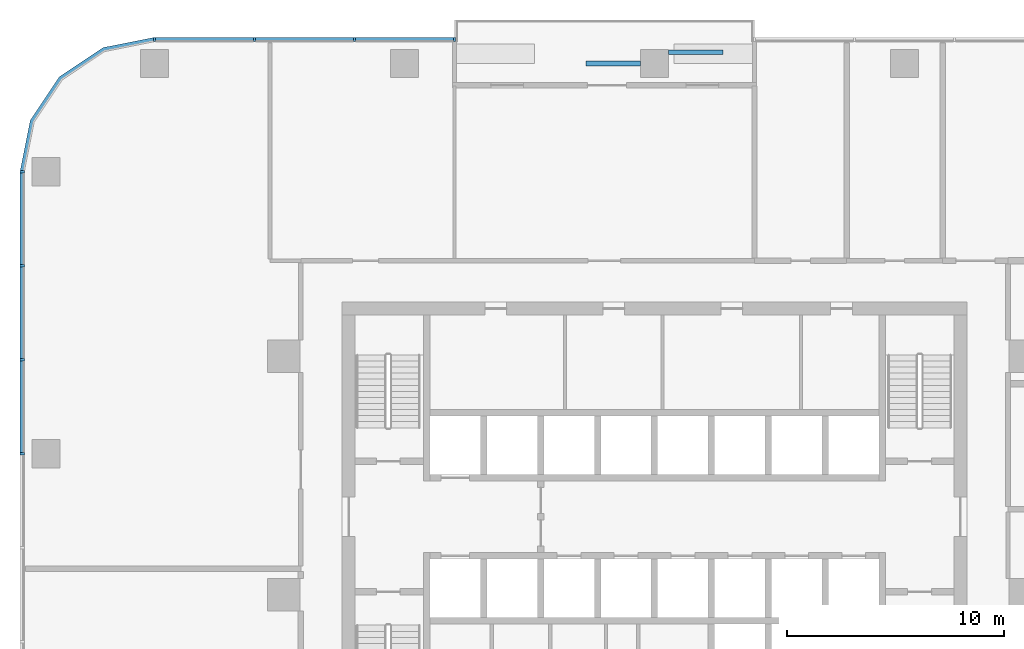
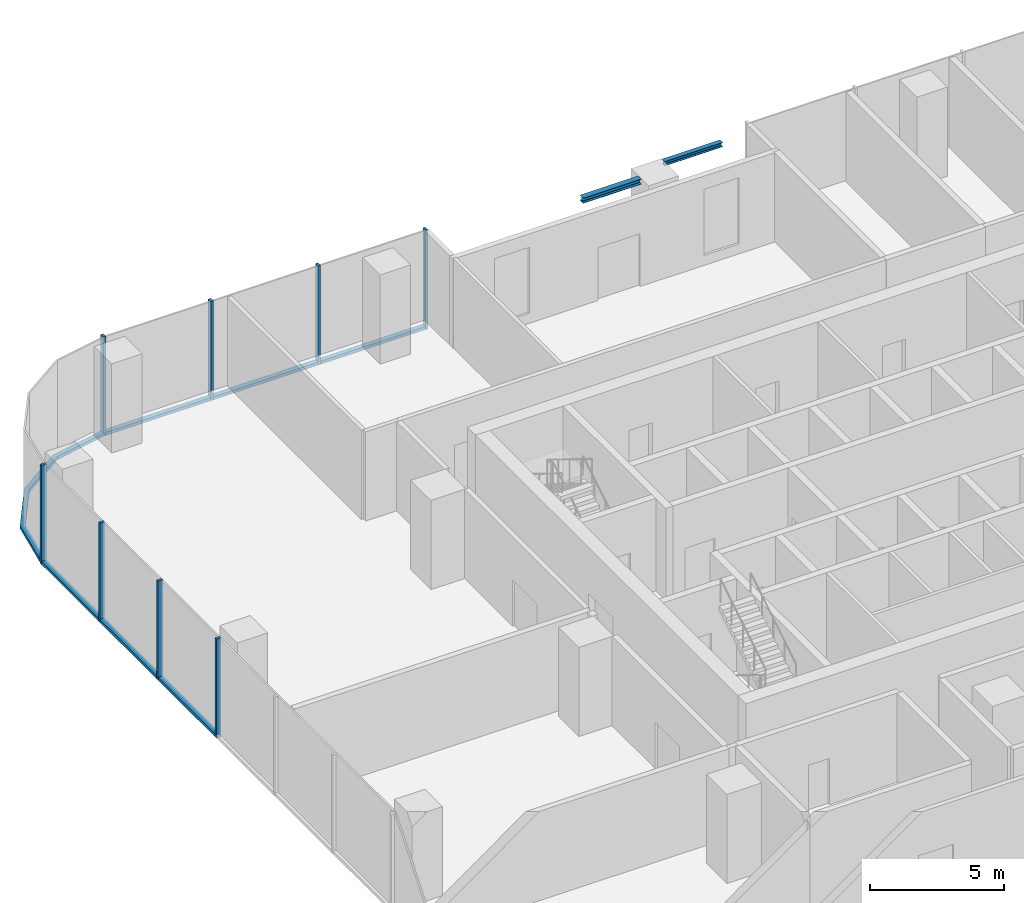
# One storey, part 4 of 14: 15 members, 2 beams, 3 elements without a shape of their own.
"""IFC4 building model written with IfcOpenShell, lengths in metres."""

from ifc_helpers import new_model, si_unit, direction, frame, origin, origin_2d, place, context, subcontext, project, spatial, polyline, rectangle, i_section, outline, extrude, material, material_profile, profile_set, type_object, element, aggregate, save


model = new_model("IFC4")

# Units and contexts
model_context = context("Model", 3, precision=1e-05, world=origin(), true_north=direction((0.0, 1.0)))
body_context = subcontext(model_context, "Body", "Model", "MODEL_VIEW")
ifc_project = project(units=[si_unit("LENGTHUNIT", "METRE"), si_unit("AREAUNIT", "SQUARE_METRE"), si_unit("VOLUMEUNIT", "CUBIC_METRE"), si_unit("PLANEANGLEUNIT", "RADIAN"), si_unit("MASSUNIT", "GRAM", prefix="KILO")], contexts=[model_context])

# Site, building, storey
site_placement = place(None, origin())
site = spatial("IfcSite", under=ifc_project, at=site_placement, CompositionType="ELEMENT")
building_placement = place(site_placement, origin())
building = spatial("IfcBuilding", under=site, at=building_placement, Name="Mopane Tessera Tower", CompositionType="ELEMENT")
storey_placement = place(building_placement, frame((0.0, 0.0, 130.60009765625)))
storey = spatial("IfcBuildingStorey", under=building, at=storey_placement, Name="L26", CompositionType="ELEMENT", Elevation=130.60009765625)

# Curtain wall, members
ifc_material_1 = material(Name="Aluminium frame", Category="aluminium")
curtain_wall_type = type_object("IfcCurtainWallType", Name="Lower tower unitised wall", PredefinedType="NOTDEFINED", material=ifc_material_1)
curtain_wall_1_placement = place(storey_placement, origin())
curtain_wall_1 = element("IfcCurtainWall", 1, at=curtain_wall_1_placement, inside=storey, type_object=curtain_wall_type, Name="e:cw:L26:N:7", PredefinedType="NOTDEFINED")
ifc_material_2 = material(Name="Aluminium frame", Category="aluminium")
ifc_material_profile_1 = material_profile(ifc_material_2, rectangle(XDim=0.110107421875, YDim=0.199951171875, at=origin_2d()))
ifc_profile_set_1 = profile_set([ifc_material_profile_1], Name="Aluminium frame")
member_type_1 = type_object("IfcMemberType", Name="Aluminium mullion 110 x 200", PredefinedType="MULLION", material=ifc_profile_set_1)
member_1_placement = place(storey_placement, frame((-9.219970703125, 25.60009765625, -0.4501953125), z_axis=(0.0, 0.0, 1.0), x_axis=(-1.0, 0.0, 0.0)))
member_1 = element("IfcMember", 2, at=member_1_placement, type_object=member_type_1, Name="e:cw:L26:N:7:mu7", PredefinedType="MULLION", context=body_context, shape_type="SweptSolid", body=[
    extrude(rectangle(XDim=0.110107421875, YDim=0.199951171875, at=origin_2d()), origin(), (0.0, 0.0, 1.0), 4.5),
])
member_2_placement = place(storey_placement, frame((-13.830078125, 25.60009765625, -0.4501953125), z_axis=(0.0, 0.0, 1.0), x_axis=(-1.0, 0.0, 0.0)))
member_2 = element("IfcMember", 3, at=member_2_placement, type_object=member_type_1, Name="e:cw:L26:N:7:mu8", PredefinedType="MULLION", context=body_context, shape_type="SweptSolid", body=[
    extrude(rectangle(XDim=0.110107421875, YDim=0.199951171875, at=origin_2d()), origin(), (0.0, 0.0, 1.0), 4.5),
])
member_3_placement = place(storey_placement, frame((-18.43994140625, 25.60009765625, -0.4501953125), z_axis=(0.0, 0.0, 1.0), x_axis=(-1.0, 0.0, 0.0)))
member_3 = element("IfcMember", 4, at=member_3_placement, type_object=member_type_1, Name="e:cw:L26:N:7:mu9", PredefinedType="MULLION", context=body_context, shape_type="SweptSolid", body=[
    extrude(rectangle(XDim=0.110107421875, YDim=0.199951171875, at=origin_2d()), origin(), (0.0, 0.0, 1.0), 4.5),
])
member_4_placement = place(storey_placement, frame((-23.050048828125, 25.60009765625, -0.4501953125), z_axis=(0.0, 0.0, 1.0), x_axis=(-1.0, 0.0, 0.0)))
member_4 = element("IfcMember", 5, at=member_4_placement, type_object=member_type_1, Name="e:cw:L26:N:7:mu10", PredefinedType="MULLION", context=body_context, shape_type="SweptSolid", body=[
    extrude(rectangle(XDim=0.110107421875, YDim=0.199951171875, at=origin_2d()), origin(), (0.0, 0.0, 1.0), 4.5),
])

curtain_wall_2_placement = place(storey_placement, origin())
curtain_wall_2 = element("IfcCurtainWall", 6, at=curtain_wall_2_placement, inside=storey, type_object=curtain_wall_type, Name="e:cw:L26:W:0", PredefinedType="NOTDEFINED")
member_5_placement = place(storey_placement, frame((-29.14990234375, 19.5, -0.4501953125), z_axis=(0.0, 0.0, 1.0), x_axis=(0.0, -1.0, 0.0)))
member_5 = element("IfcMember", 7, at=member_5_placement, type_object=member_type_1, Name="e:cw:L26:W:0:mu0", PredefinedType="MULLION", context=body_context, shape_type="SweptSolid", body=[
    extrude(rectangle(XDim=0.110107421875, YDim=0.199951171875, at=origin_2d()), origin(), (0.0, 0.0, 1.0), 4.5),
])
member_6_placement = place(storey_placement, frame((-29.14990234375, 15.166748046875, -0.4501953125), z_axis=(0.0, 0.0, 1.0), x_axis=(0.0, -1.0, 0.0)))
member_6 = element("IfcMember", 8, at=member_6_placement, type_object=member_type_1, Name="e:cw:L26:W:0:mu1", PredefinedType="MULLION", context=body_context, shape_type="SweptSolid", body=[
    extrude(rectangle(XDim=0.110107421875, YDim=0.199951171875, at=origin_2d()), origin(), (0.0, 0.0, 1.0), 4.5),
])
member_7_placement = place(storey_placement, frame((-29.14990234375, 10.833251953125, -0.4501953125), z_axis=(0.0, 0.0, 1.0), x_axis=(0.0, -1.0, 0.0)))
member_7 = element("IfcMember", 9, at=member_7_placement, type_object=member_type_1, Name="e:cw:L26:W:0:mu2", PredefinedType="MULLION", context=body_context, shape_type="SweptSolid", body=[
    extrude(rectangle(XDim=0.110107421875, YDim=0.199951171875, at=origin_2d()), origin(), (0.0, 0.0, 1.0), 4.5),
])
member_8_placement = place(storey_placement, frame((-29.14990234375, 6.5, -0.4501953125), z_axis=(0.0, 0.0, 1.0), x_axis=(0.0, -1.0, 0.0)))
member_8 = element("IfcMember", 10, at=member_8_placement, type_object=member_type_1, Name="e:cw:L26:W:0:mu3", PredefinedType="MULLION", context=body_context, shape_type="SweptSolid", body=[
    extrude(rectangle(XDim=0.110107421875, YDim=0.199951171875, at=origin_2d()), origin(), (0.0, 0.0, 1.0), 4.5),
])

# Member
ifc_material_3 = material(Name="Aluminium frame", Category="aluminium")
ifc_material_profile_2 = material_profile(ifc_material_3, rectangle(XDim=0.199951171875, YDim=0.139892578125, at=origin_2d()))
ifc_profile_set_2 = profile_set([ifc_material_profile_2], Name="Aluminium frame")
member_type_2 = type_object("IfcMemberType", Name="Aluminium transom 200 x 140", PredefinedType="USERDEFINED", material=ifc_profile_set_2)
member_9_placement = place(storey_placement, frame((-9.27490234375, 25.60009765625, -0.380126953125), z_axis=(-1.0, 0.0, 0.0), x_axis=(0.0, -1.0, 0.0)))
member_9 = element("IfcMember", 11, at=member_9_placement, type_object=member_type_2, Name="e:cw:L26:N:7:tr7", ObjectType="TRANSOM", PredefinedType="USERDEFINED", context=body_context, shape_type="SweptSolid", body=[
    extrude(rectangle(XDim=0.199951171875, YDim=0.139892578125, at=origin_2d()), origin(), (0.0, 0.0, 1.0), 4.5),
])

member_10_placement = place(storey_placement, frame((-13.885009765625, 25.60009765625, -0.380126953125), z_axis=(-1.0, 0.0, 0.0), x_axis=(0.0, -1.0, 0.0)))
member_10 = element("IfcMember", 12, at=member_10_placement, type_object=member_type_2, Name="e:cw:L26:N:7:tr8", ObjectType="TRANSOM", PredefinedType="USERDEFINED", context=body_context, shape_type="SweptSolid", body=[
    extrude(rectangle(XDim=0.199951171875, YDim=0.139892578125, at=origin_2d()), origin(), (0.0, 0.0, 1.0), 4.5),
])

member_11_placement = place(storey_placement, frame((-18.4951171875, 25.60009765625, -0.380126953125), z_axis=(-1.0, 0.0, 0.0), x_axis=(0.0, -1.0, 0.0)))
member_11 = element("IfcMember", 13, at=member_11_placement, type_object=member_type_2, Name="e:cw:L26:N:7:tr9", ObjectType="TRANSOM", PredefinedType="USERDEFINED", context=body_context, shape_type="SweptSolid", body=[
    extrude(rectangle(XDim=0.199951171875, YDim=0.139892578125, at=origin_2d()), origin(), (0.0, 0.0, 1.0), 4.5),
])

aggregate(curtain_wall_1, [member_1, member_2, member_3, member_4, member_9, member_10, member_11])

# Curtain wall, member
curtain_wall_3_placement = place(storey_placement, origin())
curtain_wall_3 = element("IfcCurtainWall", 14, at=curtain_wall_3_placement, inside=storey, type_object=curtain_wall_type, Name="e:cw:L26:CN", PredefinedType="NOTDEFINED")
member_12_placement = place(storey_placement, frame((0.0, 0.0, -0.4501953125)))
member_12 = element("IfcMember", 15, at=member_12_placement, type_object=member_type_2, Name="e:cw:L26:CN:tr", ObjectType="TRANSOM", PredefinedType="USERDEFINED", context=body_context, shape_type="SweptSolid", body=[
    extrude(outline(polyline([(-23.050048828125, 25.5), (-25.34619140625, 25.043212890625), (-27.292724609375, 23.74267578125), (-28.59326171875, 21.796142578125), (-29.050048828125, 19.5), (-29.25, 19.5), (-28.778076171875, 21.87255859375), (-27.43408203125, 23.884033203125), (-25.422607421875, 25.22802734375), (-23.050048828125, 25.699951171875), (-23.050048828125, 25.5)])), origin(), (0.0, 0.0, 1.0), 0.14013671875),
])
aggregate(curtain_wall_3, [member_12])

# Member
member_13_placement = place(storey_placement, frame((-29.14990234375, 19.445068359375, -0.380126953125), z_axis=(0.0, -1.0, 0.0), x_axis=(1.0, 0.0, 0.0)))
member_13 = element("IfcMember", 16, at=member_13_placement, type_object=member_type_2, Name="e:cw:L26:W:0:tr0", ObjectType="TRANSOM", PredefinedType="USERDEFINED", context=body_context, shape_type="SweptSolid", body=[
    extrude(rectangle(XDim=0.199951171875, YDim=0.139892578125, at=origin_2d()), origin(), (0.0, 0.0, 1.0), 4.223388671875),
])

member_14_placement = place(storey_placement, frame((-29.14990234375, 15.111572265625, -0.380126953125), z_axis=(0.0, -1.0, 0.0), x_axis=(1.0, 0.0, 0.0)))
member_14 = element("IfcMember", 17, at=member_14_placement, type_object=member_type_2, Name="e:cw:L26:W:0:tr1", ObjectType="TRANSOM", PredefinedType="USERDEFINED", context=body_context, shape_type="SweptSolid", body=[
    extrude(rectangle(XDim=0.199951171875, YDim=0.139892578125, at=origin_2d()), origin(), (0.0, 0.0, 1.0), 4.22314453125),
])

member_15_placement = place(storey_placement, frame((-29.14990234375, 10.7783203125, -0.380126953125), z_axis=(0.0, -1.0, 0.0), x_axis=(1.0, 0.0, 0.0)))
member_15 = element("IfcMember", 18, at=member_15_placement, type_object=member_type_2, Name="e:cw:L26:W:0:tr2", ObjectType="TRANSOM", PredefinedType="USERDEFINED", context=body_context, shape_type="SweptSolid", body=[
    extrude(rectangle(XDim=0.199951171875, YDim=0.139892578125, at=origin_2d()), origin(), (0.0, 0.0, 1.0), 4.223388671875),
])

aggregate(curtain_wall_2, [member_5, member_6, member_7, member_8, member_13, member_14, member_15])

# Beams
ifc_material_4 = material(Name="Structural steel S460", Category="steel")
ifc_material_profile_3 = material_profile(ifc_material_4, i_section(OverallWidth=0.239990234375, OverallDepth=0.239990234375, WebThickness=0.010009765625, FlangeThickness=0.01708984375, FilletRadius=0.02099609375, at=origin_2d()))
ifc_profile_set_3 = profile_set([ifc_material_profile_3], Name="Structural steel S460")
beam_type_1 = type_object("IfcBeamType", Name="Terrace spandrel beam HE 240 B", PredefinedType="SPANDREL", material=ifc_profile_set_3)
beam_1_placement = place(storey_placement, frame((-0.653076171875, 24.5, 3.929931640625), z_axis=(-1.0, 0.0, 0.0), x_axis=(0.0, -1.0, 0.0)))
element("IfcBeam", 19, at=beam_1_placement, inside=storey, type_object=beam_type_1, Name="Terrace spandrel beam N1 L27", PredefinedType="SPANDREL", context=body_context, shape_type="SweptSolid", body=[
    extrude(i_section(OverallWidth=0.239990234375, OverallDepth=0.239990234375, WebThickness=0.010009765625, FlangeThickness=0.01708984375, FilletRadius=0.02099609375, at=origin_2d()), origin(), (0.0, 0.0, 1.0), 2.5),
])
ifc_material_5 = material(Name="Structural steel S460", Category="steel")
ifc_material_profile_4 = material_profile(ifc_material_5, i_section(OverallWidth=0.199951171875, OverallDepth=0.199951171875, WebThickness=0.009033203125, FlangeThickness=0.014892578125, FilletRadius=0.01806640625, at=origin_2d()))
ifc_profile_set_4 = profile_set([ifc_material_profile_4], Name="Structural steel S460")
beam_type_2 = type_object("IfcBeamType", Name="Terrace trimmer beam HE 200 B", PredefinedType="BEAM", material=ifc_profile_set_4)
beam_2_placement = place(storey_placement, frame((0.653076171875, 25.02001953125, 3.949951171875), z_axis=(1.0, 0.0, 0.0), x_axis=(0.0, 1.0, 0.0)))
element("IfcBeam", 20, at=beam_2_placement, inside=storey, type_object=beam_type_2, Name="Terrace trimmer beam N1 L27", PredefinedType="BEAM", context=body_context, shape_type="SweptSolid", body=[
    extrude(i_section(OverallWidth=0.199951171875, OverallDepth=0.199951171875, WebThickness=0.009033203125, FlangeThickness=0.014892578125, FilletRadius=0.01806640625, at=origin_2d()), origin(), (0.0, 0.0, 1.0), 2.5),
])

save(model, "model.ifc")
